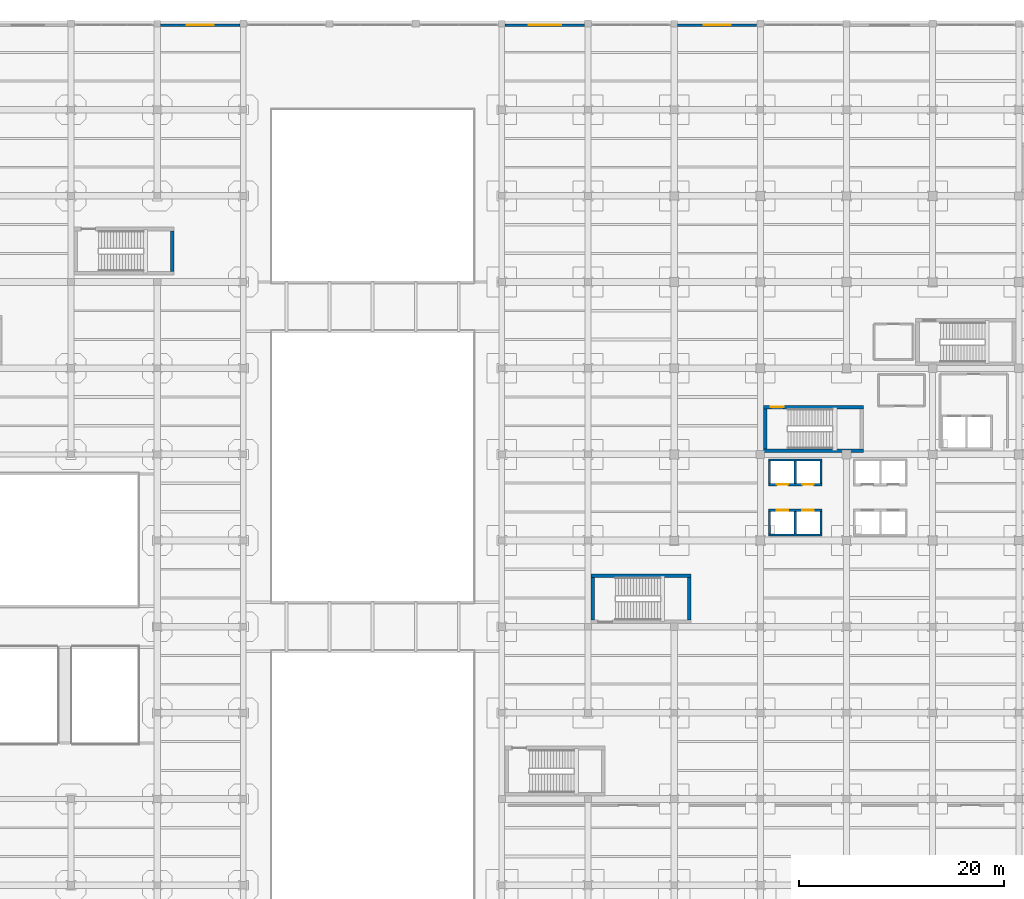
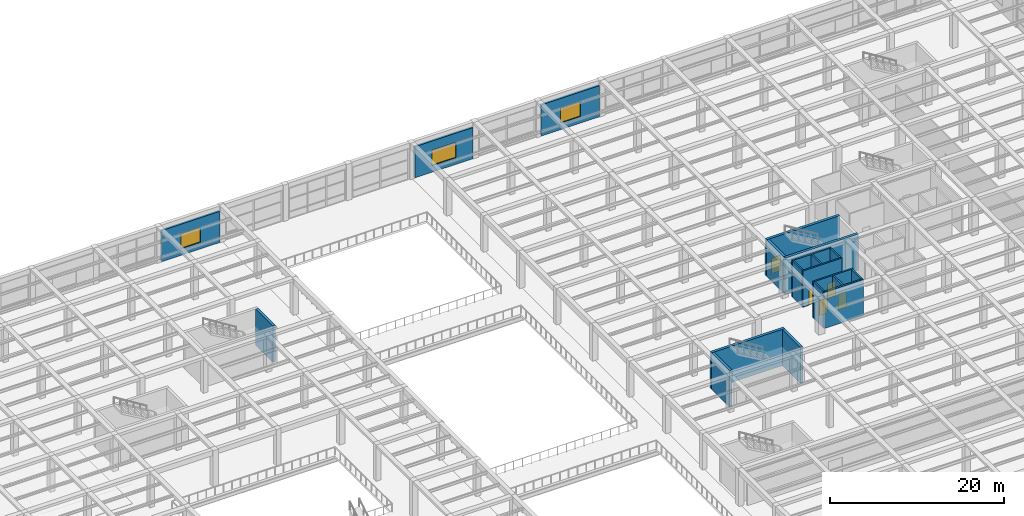
# One storey, part 80 of 95: 20 walls, 5 doors, 3 windows, 8 openings.
"""IFC4 building model written with IfcOpenShell, lengths in metres."""

from ifc_helpers import new_model, si_unit, direction, frame, frame_2d, origin, place, context, subcontext, project, spatial, rectangle, extrude, material, layer, layer_set, type_object, element, fill, save


model = new_model("IFC4")

# Units and contexts
model_context = context("Model", 3, precision=1e-05, world=origin(), true_north=direction((0.0, 1.0)))
body_context = subcontext(model_context, "Body", "Model", "MODEL_VIEW")
ifc_project = project(units=[si_unit("LENGTHUNIT", "METRE"), si_unit("AREAUNIT", "SQUARE_METRE"), si_unit("VOLUMEUNIT", "CUBIC_METRE"), si_unit("PLANEANGLEUNIT", "RADIAN"), si_unit("MASSUNIT", "GRAM", prefix="KILO")], contexts=[model_context])

# Site, building, storey
site_placement = place(None, origin())
site = spatial("IfcSite", under=ifc_project, at=site_placement, CompositionType="ELEMENT")
building_placement = place(site_placement, origin())
building = spatial("IfcBuilding", under=site, at=building_placement, Name="Almacenes y Pasaje Nevantli", CompositionType="ELEMENT")
storey_placement = place(building_placement, frame((0.0, 0.0, 11.39990234375)))
storey = spatial("IfcBuildingStorey", under=building, at=storey_placement, Name="L03", CompositionType="ELEMENT", Elevation=11.39990234375)

# Wall
ifc_material_1 = material(Name="Concrete C45/55", Category="concrete")
ifc_layer_1 = layer(ifc_material_1, 0.35009765625)
ifc_layer_set_1 = layer_set([ifc_layer_1], Name="Concrete C45/55")
wall_type_1 = type_object("IfcWallType", Name="WL-CORE-350", PredefinedType="SHEAR", material=ifc_layer_set_1)
wall_1_placement = place(storey_placement, frame((117.89990234375, 75.97509765625, 0.0), z_axis=(0.0, 0.0, 1.0), x_axis=(1.0, 0.0, 0.0)))
element("IfcWall", 1, at=wall_1_placement, inside=storey, type_object=wall_type_1, Name="L03 Exit Stair ST-01 South Core Shear Wall", PredefinedType="SHEAR", context=body_context, shape_type="SweptSolid", body=[
    extrude(rectangle(XDim=9.75, YDim=0.35009765625, at=frame_2d((4.875, 0.0))), origin(), (0.0, 0.0, 1.0), 5.10009765625),
])

# Wall, opening, door
wall_2_placement = place(storey_placement, frame((117.89990234375, 80.215087890625, 0.0), z_axis=(0.0, 0.0, 1.0), x_axis=(1.0, 0.0, 0.0)))
wall_2 = element("IfcWall", 2, at=wall_2_placement, inside=storey, type_object=wall_type_1, Name="L03 Exit Stair ST-01 North Core Shear Wall", PredefinedType="SHEAR", context=body_context, shape_type="SweptSolid", body=[
    extrude(rectangle(XDim=9.75, YDim=0.35009765625, at=frame_2d((4.875, 0.0))), origin(), (0.0, 0.0, 1.0), 5.10009765625),
])
opening_1_placement = place(wall_2_placement, frame((0.719970703125, 0.0, 0.0)))
opening_1 = element("IfcOpeningElement", 3, at=opening_1_placement, cuts=wall_2, Name="Opening SD-01-L03", PredefinedType="OPENING", context=body_context, shape_type="SweptSolid", body=[
    extrude(rectangle(XDim=1.25, YDim=2.199951171875, at=frame_2d((0.625, 1.10009765625))), frame((0.0, 0.18505859375, 0.0), z_axis=(0.0, -1.0, 0.0), x_axis=(1.0, 0.0, 0.0)), (0.0, 0.0, 1.0), 0.3701171875),
])
ifc_material_2 = material(Name="Galvanized Fire-Rated Steel", Category="steel")
door_type_1 = type_object("IfcDoorType", Name="DR-STAIR-1250", OperationType="SINGLE_SWING_LEFT", PredefinedType="DOOR", material=ifc_material_2)
door_1_placement = place(opening_1_placement, origin())
door_1 = element("IfcDoor", 4, at=door_1_placement, inside=storey, type_object=door_type_1, Name="L03 Smokeproof Exit Stair ST-01 Fire Door", OperationType="SINGLE_SWING_LEFT", OverallHeight=2.199951171875, OverallWidth=1.25, PredefinedType="DOOR", context=body_context, shape_type="SweptSolid", body=[
    extrude(rectangle(XDim=1.25, YDim=2.199951171875, at=frame_2d((0.625, 1.10009765625))), frame((0.0, 0.02490234375, 0.0), z_axis=(0.0, -1.0, 0.0), x_axis=(1.0, 0.0, 0.0)), (0.0, 0.0, 1.0), 0.050048828125),
])
fill(opening_1, door_1)

# Walls
wall_3_placement = place(storey_placement, frame((118.074951171875, 76.14990234375, 0.0), z_axis=(0.0, 0.0, 1.0), x_axis=(0.0, 1.0, 0.0)))
element("IfcWall", 5, at=wall_3_placement, inside=storey, type_object=wall_type_1, Name="L03 Exit Stair ST-01 West Core Shear Wall", PredefinedType="SHEAR", context=body_context, shape_type="SweptSolid", body=[
    extrude(rectangle(XDim=3.89013671875, YDim=0.35009765625, at=frame_2d((1.945068359375, 0.0))), origin(), (0.0, 0.0, 1.0), 5.10009765625),
])
wall_4_placement = place(storey_placement, frame((60.27490234375, 93.449951171875, 0.0), z_axis=(0.0, 0.0, 1.0), x_axis=(0.0, 1.0, 0.0)))
element("IfcWall", 6, at=wall_4_placement, inside=storey, type_object=wall_type_1, Name="L03 Exit Stair ST-05 East Core Shear Wall", PredefinedType="SHEAR", context=body_context, shape_type="SweptSolid", body=[
    extrude(rectangle(XDim=3.949951171875, YDim=0.35009765625, at=frame_2d((1.97509765625, 0.0))), origin(), (0.0, 0.0, 1.0), 5.10009765625),
])
wall_5_placement = place(storey_placement, frame((101.10009765625, 63.77490234375, 0.0), z_axis=(0.0, 0.0, 1.0), x_axis=(1.0, 0.0, 0.0)))
element("IfcWall", 7, at=wall_5_placement, inside=storey, type_object=wall_type_1, Name="L03 Exit Stair ST-13 North Core Shear Wall", PredefinedType="SHEAR", context=body_context, shape_type="SweptSolid", body=[
    extrude(rectangle(XDim=9.75, YDim=0.35009765625, at=frame_2d((4.875, 0.0))), origin(), (0.0, 0.0, 1.0), 5.10009765625),
])
for number, where, z_axis, x_axis, name in (
    (8, (101.27490234375, 59.449951171875, 0.0), (0.0, 0.0, 1.0), (0.0, 1.0, 0.0), "L03 Exit Stair ST-13 West Core Shear Wall"),
    (9, (110.675048828125, 59.449951171875, 0.0), (0.0, 0.0, 1.0), (0.0, 1.0, 0.0), "L03 Exit Stair ST-13 East Core Shear Wall"),
):
    element("IfcWall", number, at=place(storey_placement, frame(where, z_axis=z_axis, x_axis=x_axis)), inside=storey, type_object=wall_type_1, Name=name, PredefinedType="SHEAR", context=body_context, shape_type="SweptSolid", body=[
        extrude(rectangle(XDim=4.150146484375, YDim=0.35009765625, at=frame_2d((2.0751953125, 0.0))), origin(), (0.0, 0.0, 1.0), 5.10009765625),
    ])

# Wall, opening, window
ifc_material_3 = material(Name="Cream Architectural Precast Concrete C35/45 Wall", Category="concrete")
ifc_layer_2 = layer(ifc_material_3, 0.260009765625)
ifc_layer_set_2 = layer_set([ifc_layer_2], Name="Cream Architectural Precast Concrete C35/45 Wall")
wall_type_2 = type_object("IfcWallType", Name="WL-EXT-PRECAST-260", PredefinedType="SOLIDWALL", material=ifc_layer_set_2)
wall_6_placement = place(storey_placement, frame((59.1279296875, 117.449951171875, 0.0), z_axis=(0.0, 0.0, 1.0), x_axis=(1.0, 0.0, 0.0)))
wall_6 = element("IfcWall", 10, at=wall_6_placement, inside=storey, type_object=wall_type_2, Name="L03 North Boulevard Cantera Spandrel Wall Bay 8", PredefinedType="SOLIDWALL", context=body_context, shape_type="SweptSolid", body=[
    extrude(rectangle(XDim=7.719970703125, YDim=0.260009765625, at=frame_2d((3.85986328125, 0.0))), origin(), (0.0, 0.0, 1.0), 4.380126953125),
])
opening_2_placement = place(wall_6_placement, frame((2.572021484375, 0.0, 0.949951171875)))
opening_2 = element("IfcOpeningElement", 11, at=opening_2_placement, cuts=wall_6, Name="Opening WT-13-093", PredefinedType="OPENING", context=body_context, shape_type="SweptSolid", body=[
    extrude(rectangle(XDim=2.60009765625, YDim=2.10009765625, at=frame_2d((1.300048828125, 1.050048828125))), frame((0.0, 0.139892578125, 0.0), z_axis=(0.0, -1.0, 0.0), x_axis=(1.0, 0.0, 0.0)), (0.0, 0.0, 1.0), 0.280029296875),
])
ifc_material_4 = material(Name="Thermally Broken Aluminium and Low-E Double Glazing", Category="aluminium")
window_type_1 = type_object("IfcWindowType", Name="WN-POD-2600x2100", PartitioningType="SINGLE_PANEL", PredefinedType="WINDOW", material=ifc_material_4)
window_1_placement = place(opening_2_placement, origin())
window_1 = element("IfcWindow", 12, at=window_1_placement, inside=storey, type_object=window_type_1, Name="L03 Exterior Window WT-13 #93", OverallHeight=2.10009765625, OverallWidth=2.60009765625, PartitioningType="SINGLE_PANEL", PredefinedType="WINDOW", context=body_context, shape_type="SweptSolid", body=[
    extrude(rectangle(XDim=2.60009765625, YDim=2.10009765625, at=frame_2d((1.300048828125, 1.050048828125))), frame((0.0, 0.030029296875, 0.0), z_axis=(0.0, -1.0, 0.0), x_axis=(1.0, 0.0, 0.0)), (0.0, 0.0, 1.0), 0.06005859375),
])
fill(opening_2, window_1)

wall_7_placement = place(storey_placement, frame((92.72802734375, 117.449951171875, 0.0), z_axis=(0.0, 0.0, 1.0), x_axis=(1.0, 0.0, 0.0)))
wall_7 = element("IfcWall", 13, at=wall_7_placement, inside=storey, type_object=wall_type_2, Name="L03 North Boulevard Cantera Spandrel Wall Bay 12", PredefinedType="SOLIDWALL", context=body_context, shape_type="SweptSolid", body=[
    extrude(rectangle(XDim=7.719970703125, YDim=0.260009765625, at=frame_2d((3.85986328125, 0.0))), origin(), (0.0, 0.0, 1.0), 4.380126953125),
])
opening_3_placement = place(wall_7_placement, frame((2.27197265625, 0.0, 0.949951171875)))
opening_3 = element("IfcOpeningElement", 14, at=opening_3_placement, cuts=wall_7, Name="Opening WT-11-094", PredefinedType="OPENING", context=body_context, shape_type="SweptSolid", body=[
    extrude(rectangle(XDim=3.199951171875, YDim=2.14990234375, at=frame_2d((1.60009765625, 1.074951171875))), frame((0.0, 0.139892578125, 0.0), z_axis=(0.0, -1.0, 0.0), x_axis=(1.0, 0.0, 0.0)), (0.0, 0.0, 1.0), 0.280029296875),
])
ifc_material_5 = material(Name="Thermally Broken Aluminium and Low-E Double Glazing", Category="aluminium")
window_type_2 = type_object("IfcWindowType", Name="WN-POD-3200x2150", PartitioningType="SINGLE_PANEL", PredefinedType="WINDOW", material=ifc_material_5)
window_2_placement = place(opening_3_placement, origin())
window_2 = element("IfcWindow", 15, at=window_2_placement, inside=storey, type_object=window_type_2, Name="L03 Exterior Window WT-11 #94", OverallHeight=2.14990234375, OverallWidth=3.199951171875, PartitioningType="SINGLE_PANEL", PredefinedType="WINDOW", context=body_context, shape_type="SweptSolid", body=[
    extrude(rectangle(XDim=3.199951171875, YDim=2.14990234375, at=frame_2d((1.60009765625, 1.074951171875))), frame((0.0, 0.030029296875, 0.0), z_axis=(0.0, -1.0, 0.0), x_axis=(1.0, 0.0, 0.0)), (0.0, 0.0, 1.0), 0.06005859375),
])
fill(opening_3, window_2)

wall_8_placement = place(storey_placement, frame((109.528076171875, 117.449951171875, 0.0), z_axis=(0.0, 0.0, 1.0), x_axis=(1.0, 0.0, 0.0)))
wall_8 = element("IfcWall", 16, at=wall_8_placement, inside=storey, type_object=wall_type_2, Name="L03 North Boulevard Cantera Spandrel Wall Bay 14", PredefinedType="SOLIDWALL", context=body_context, shape_type="SweptSolid", body=[
    extrude(rectangle(XDim=7.718017578125, YDim=0.260009765625, at=frame_2d((3.85888671875, 0.0))), origin(), (0.0, 0.0, 1.0), 4.380126953125),
])
opening_4_placement = place(wall_8_placement, frame((2.572021484375, 0.0, 0.949951171875)))
opening_4 = element("IfcOpeningElement", 17, at=opening_4_placement, cuts=wall_8, Name="Opening WT-13-095", PredefinedType="OPENING", context=body_context, shape_type="SweptSolid", body=[
    extrude(rectangle(XDim=2.60009765625, YDim=2.10009765625, at=frame_2d((1.300048828125, 1.050048828125))), frame((0.0, 0.139892578125, 0.0), z_axis=(0.0, -1.0, 0.0), x_axis=(1.0, 0.0, 0.0)), (0.0, 0.0, 1.0), 0.280029296875),
])
window_3_placement = place(opening_4_placement, origin())
window_3 = element("IfcWindow", 18, at=window_3_placement, inside=storey, type_object=window_type_1, Name="L03 Exterior Window WT-13 #95", OverallHeight=2.10009765625, OverallWidth=2.60009765625, PartitioningType="SINGLE_PANEL", PredefinedType="WINDOW", context=body_context, shape_type="SweptSolid", body=[
    extrude(rectangle(XDim=2.60009765625, YDim=2.10009765625, at=frame_2d((1.300048828125, 1.050048828125))), frame((0.0, 0.030029296875, 0.0), z_axis=(0.0, -1.0, 0.0), x_axis=(1.0, 0.0, 0.0)), (0.0, 0.0, 1.0), 0.06005859375),
])
fill(opening_4, window_3)

# Wall
ifc_material_6 = material(Name="Concrete C45/55", Category="concrete")
ifc_layer_3 = layer(ifc_material_6, 0.2099609375)
ifc_layer_set_3 = layer_set([ifc_layer_3], Name="Concrete C45/55")
wall_type_3 = type_object("IfcWallType", Name="WL-SHAFT-210", PredefinedType="SHEAR", material=ifc_layer_set_3)
wall_9_placement = place(storey_placement, frame((118.389892578125, 67.7451171875, 0.0), z_axis=(0.0, 0.0, 1.0), x_axis=(1.0, 0.0, 0.0)))
element("IfcWall", 19, at=wall_9_placement, inside=storey, type_object=wall_type_3, Name="L03 Lift Hoistway ELV-P05-ELV-P06 South Wall", PredefinedType="SHEAR", context=body_context, shape_type="SweptSolid", body=[
    extrude(rectangle(XDim=5.22021484375, YDim=0.2099609375, at=frame_2d((2.610107421875, 0.0))), origin(), (0.0, 0.0, 1.0), 5.10009765625),
])

# Wall, openings, doors
wall_10_placement = place(storey_placement, frame((118.389892578125, 70.155029296875, 0.0), z_axis=(0.0, 0.0, 1.0), x_axis=(1.0, 0.0, 0.0)))
wall_10 = element("IfcWall", 20, at=wall_10_placement, inside=storey, type_object=wall_type_3, Name="L03 Lift Hoistway ELV-P05-ELV-P06 North Wall", PredefinedType="SHEAR", context=body_context, shape_type="SweptSolid", body=[
    extrude(rectangle(XDim=5.22021484375, YDim=0.2099609375, at=frame_2d((2.610107421875, 0.0))), origin(), (0.0, 0.0, 1.0), 5.10009765625),
])
opening_5_placement = place(wall_10_placement, frame((0.81005859375, 0.0, 0.0)))
opening_5 = element("IfcOpeningElement", 21, at=opening_5_placement, cuts=wall_10, Name="Opening LD-P05-L03", PredefinedType="OPENING", context=body_context, shape_type="SweptSolid", body=[
    extrude(rectangle(XDim=1.10009765625, YDim=2.14990234375, at=frame_2d((0.550048828125, 1.074951171875))), frame((0.0, 0.114990234375, 0.0), z_axis=(0.0, -1.0, 0.0), x_axis=(1.0, 0.0, 0.0)), (0.0, 0.0, 1.0), 0.22998046875),
])
opening_6_placement = place(wall_10_placement, frame((3.31005859375, 0.0, 0.0)))
opening_6 = element("IfcOpeningElement", 22, at=opening_6_placement, cuts=wall_10, Name="Opening LD-P06-L03", PredefinedType="OPENING", context=body_context, shape_type="SweptSolid", body=[
    extrude(rectangle(XDim=1.10009765625, YDim=2.14990234375, at=frame_2d((0.550048828125, 1.074951171875))), frame((0.0, 0.114990234375, 0.0), z_axis=(0.0, -1.0, 0.0), x_axis=(1.0, 0.0, 0.0)), (0.0, 0.0, 1.0), 0.22998046875),
])
ifc_material_7 = material(Name="Brushed Stainless Steel", Category="steel")
door_type_2 = type_object("IfcDoorType", Name="DR-LD-PASS-1100", OperationType="DOUBLE_DOOR_SLIDING", PredefinedType="DOOR", material=ifc_material_7)
door_2_placement = place(opening_5_placement, origin())
door_2 = element("IfcDoor", 23, at=door_2_placement, inside=storey, type_object=door_type_2, Name="Lift Landing Door ELV-P05 L03", OperationType="DOUBLE_DOOR_SLIDING", OverallHeight=2.14990234375, OverallWidth=1.10009765625, PredefinedType="DOOR", context=body_context, shape_type="SweptSolid", body=[
    extrude(rectangle(XDim=1.10009765625, YDim=2.14990234375, at=frame_2d((0.550048828125, 1.074951171875))), frame((0.0, 0.02490234375, 0.0), z_axis=(0.0, -1.0, 0.0), x_axis=(1.0, 0.0, 0.0)), (0.0, 0.0, 1.0), 0.050048828125),
])
fill(opening_5, door_2)
door_3_placement = place(opening_6_placement, origin())
door_3 = element("IfcDoor", 24, at=door_3_placement, inside=storey, type_object=door_type_2, Name="Lift Landing Door ELV-P06 L03", OperationType="DOUBLE_DOOR_SLIDING", OverallHeight=2.14990234375, OverallWidth=1.10009765625, PredefinedType="DOOR", context=body_context, shape_type="SweptSolid", body=[
    extrude(rectangle(XDim=1.10009765625, YDim=2.14990234375, at=frame_2d((0.550048828125, 1.074951171875))), frame((0.0, 0.02490234375, 0.0), z_axis=(0.0, -1.0, 0.0), x_axis=(1.0, 0.0, 0.0)), (0.0, 0.0, 1.0), 0.050048828125),
])
fill(opening_6, door_3)

# Walls
for number, where, z_axis, x_axis, name in (
    (25, (118.4951171875, 67.85009765625, 0.0), (0.0, 0.0, 1.0), (0.0, 1.0, 0.0), "L03 Lift Hoistway ELV-P05 West Wall"),
    (26, (123.5048828125, 67.85009765625, 0.0), (0.0, 0.0, 1.0), (0.0, 1.0, 0.0), "L03 Lift Hoistway ELV-P06 East Wall"),
    (27, (121.0, 67.85009765625, 0.0), (0.0, 0.0, 1.0), (0.0, 1.0, 0.0), "L03 Lift Hoistway Divider Wall ELV-P05/ELV-P06"),
):
    element("IfcWall", number, at=place(storey_placement, frame(where, z_axis=z_axis, x_axis=x_axis)), inside=storey, type_object=wall_type_3, Name=name, PredefinedType="SHEAR", context=body_context, shape_type="SweptSolid", body=[
        extrude(rectangle(XDim=2.199951171875, YDim=0.2099609375, at=frame_2d((1.10009765625, 0.0))), origin(), (0.0, 0.0, 1.0), 5.10009765625),
    ])

# Wall, openings, doors
wall_11_placement = place(storey_placement, frame((118.389892578125, 72.64501953125, 0.0), z_axis=(0.0, 0.0, 1.0), x_axis=(1.0, 0.0, 0.0)))
wall_11 = element("IfcWall", 28, at=wall_11_placement, inside=storey, type_object=wall_type_3, Name="L03 Lift Hoistway ELV-P07-ELV-P08 South Wall", PredefinedType="SHEAR", context=body_context, shape_type="SweptSolid", body=[
    extrude(rectangle(XDim=5.22021484375, YDim=0.2099609375, at=frame_2d((2.610107421875, 0.0))), origin(), (0.0, 0.0, 1.0), 5.10009765625),
])
opening_7_placement = place(wall_11_placement, frame((0.81005859375, 0.0, 0.0)))
opening_7 = element("IfcOpeningElement", 29, at=opening_7_placement, cuts=wall_11, Name="Opening LD-P07-L03", PredefinedType="OPENING", context=body_context, shape_type="SweptSolid", body=[
    extrude(rectangle(XDim=1.10009765625, YDim=2.14990234375, at=frame_2d((0.550048828125, 1.074951171875))), frame((0.0, 0.114990234375, 0.0), z_axis=(0.0, -1.0, 0.0), x_axis=(1.0, 0.0, 0.0)), (0.0, 0.0, 1.0), 0.22998046875),
])
opening_8_placement = place(wall_11_placement, frame((3.31005859375, 0.0, 0.0)))
opening_8 = element("IfcOpeningElement", 30, at=opening_8_placement, cuts=wall_11, Name="Opening LD-P08-L03", PredefinedType="OPENING", context=body_context, shape_type="SweptSolid", body=[
    extrude(rectangle(XDim=1.10009765625, YDim=2.14990234375, at=frame_2d((0.550048828125, 1.074951171875))), frame((0.0, 0.114990234375, 0.0), z_axis=(0.0, -1.0, 0.0), x_axis=(1.0, 0.0, 0.0)), (0.0, 0.0, 1.0), 0.22998046875),
])
door_4_placement = place(opening_7_placement, origin())
door_4 = element("IfcDoor", 31, at=door_4_placement, inside=storey, type_object=door_type_2, Name="Lift Landing Door ELV-P07 L03", OperationType="DOUBLE_DOOR_SLIDING", OverallHeight=2.14990234375, OverallWidth=1.10009765625, PredefinedType="DOOR", context=body_context, shape_type="SweptSolid", body=[
    extrude(rectangle(XDim=1.10009765625, YDim=2.14990234375, at=frame_2d((0.550048828125, 1.074951171875))), frame((0.0, 0.02490234375, 0.0), z_axis=(0.0, -1.0, 0.0), x_axis=(1.0, 0.0, 0.0)), (0.0, 0.0, 1.0), 0.050048828125),
])
fill(opening_7, door_4)
door_5_placement = place(opening_8_placement, origin())
door_5 = element("IfcDoor", 32, at=door_5_placement, inside=storey, type_object=door_type_2, Name="Lift Landing Door ELV-P08 L03", OperationType="DOUBLE_DOOR_SLIDING", OverallHeight=2.14990234375, OverallWidth=1.10009765625, PredefinedType="DOOR", context=body_context, shape_type="SweptSolid", body=[
    extrude(rectangle(XDim=1.10009765625, YDim=2.14990234375, at=frame_2d((0.550048828125, 1.074951171875))), frame((0.0, 0.02490234375, 0.0), z_axis=(0.0, -1.0, 0.0), x_axis=(1.0, 0.0, 0.0)), (0.0, 0.0, 1.0), 0.050048828125),
])
fill(opening_8, door_5)

# Walls
wall_12_placement = place(storey_placement, frame((118.389892578125, 75.054931640625, 0.0), z_axis=(0.0, 0.0, 1.0), x_axis=(1.0, 0.0, 0.0)))
element("IfcWall", 33, at=wall_12_placement, inside=storey, type_object=wall_type_3, Name="L03 Lift Hoistway ELV-P07-ELV-P08 North Wall", PredefinedType="SHEAR", context=body_context, shape_type="SweptSolid", body=[
    extrude(rectangle(XDim=5.22021484375, YDim=0.2099609375, at=frame_2d((2.610107421875, 0.0))), origin(), (0.0, 0.0, 1.0), 5.10009765625),
])
for number, where, z_axis, x_axis, name in (
    (34, (118.4951171875, 72.75, 0.0), (0.0, 0.0, 1.0), (0.0, 1.0, 0.0), "L03 Lift Hoistway ELV-P07 West Wall"),
    (35, (123.5048828125, 72.75, 0.0), (0.0, 0.0, 1.0), (0.0, 1.0, 0.0), "L03 Lift Hoistway ELV-P08 East Wall"),
    (36, (121.0, 72.75, 0.0), (0.0, 0.0, 1.0), (0.0, 1.0, 0.0), "L03 Lift Hoistway Divider Wall ELV-P07/ELV-P08"),
):
    element("IfcWall", number, at=place(storey_placement, frame(where, z_axis=z_axis, x_axis=x_axis)), inside=storey, type_object=wall_type_3, Name=name, PredefinedType="SHEAR", context=body_context, shape_type="SweptSolid", body=[
        extrude(rectangle(XDim=2.199951171875, YDim=0.2099609375, at=frame_2d((1.10009765625, 0.0))), origin(), (0.0, 0.0, 1.0), 5.10009765625),
    ])

save(model, "model.ifc")
